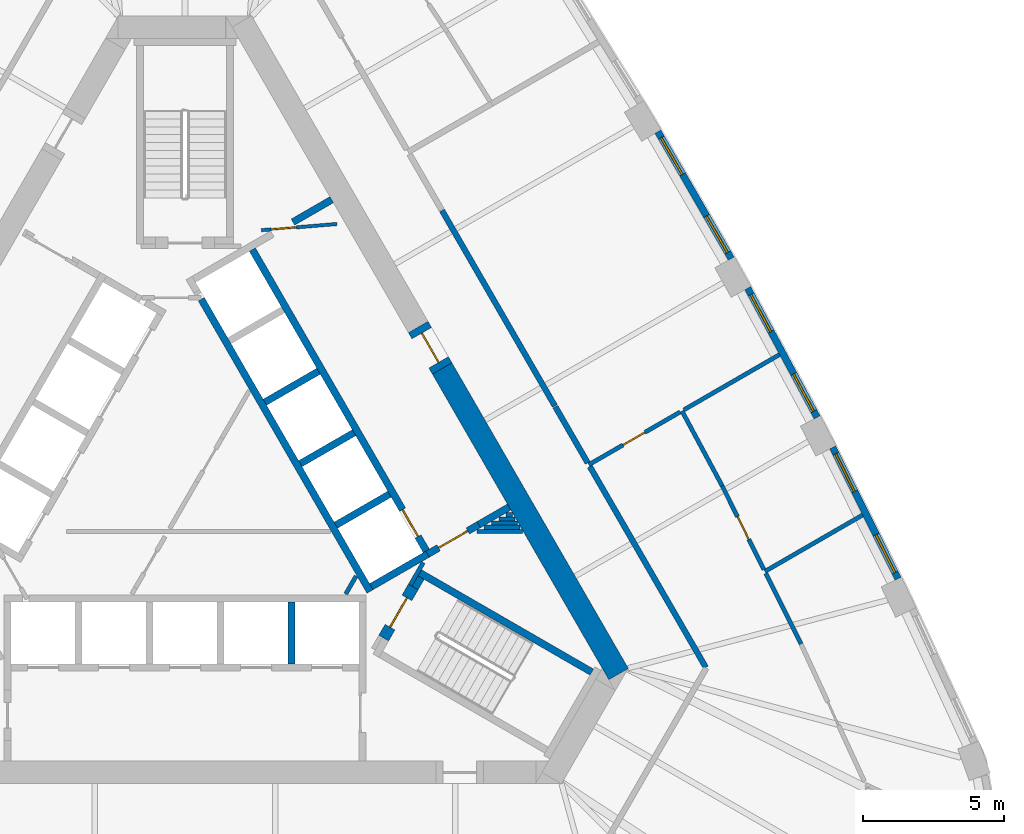
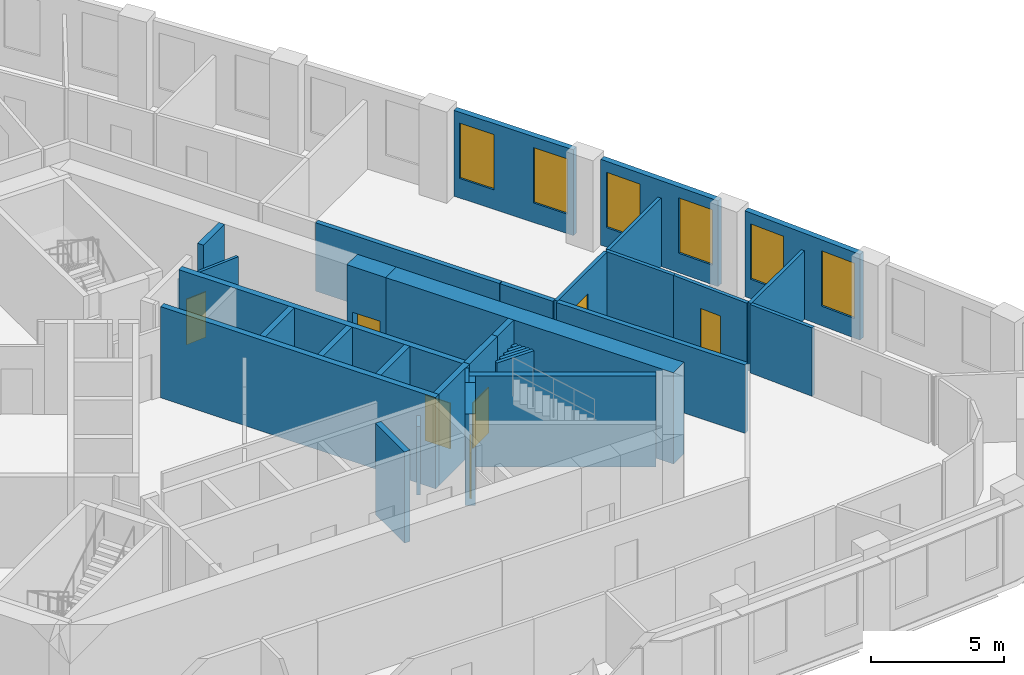
# One storey, part 8 of 11: 35 walls, 7 doors, 6 windows, 13 openings.
"""IFC4 building model written with IfcOpenShell, lengths in metres."""

from ifc_helpers import new_model, si_unit, direction, frame, frame_2d, origin, place, context, subcontext, project, spatial, rectangle, extrude, material, layer, layer_set, type_object, element, fill, save


model = new_model("IFC4")

# Units and contexts
model_context = context("Model", 3, precision=1e-05, world=origin(), true_north=direction((0.0, 1.0)))
body_context = subcontext(model_context, "Body", "Model", "MODEL_VIEW")
ifc_project = project(units=[si_unit("LENGTHUNIT", "METRE"), si_unit("AREAUNIT", "SQUARE_METRE"), si_unit("VOLUMEUNIT", "CUBIC_METRE"), si_unit("PLANEANGLEUNIT", "RADIAN"), si_unit("MASSUNIT", "GRAM", prefix="KILO")], contexts=[model_context])

# Site, building, storey
site_placement = place(None, origin())
site = spatial("IfcSite", under=ifc_project, at=site_placement, CompositionType="ELEMENT")
building_placement = place(site_placement, origin())
building = spatial("IfcBuilding", under=site, at=building_placement, Name="Mestral Congress Tower", CompositionType="ELEMENT")
storey_placement = place(building_placement, frame((0.0, 0.0, 166.800048828125)))
storey = spatial("IfcBuildingStorey", under=building, at=storey_placement, Name="L39", CompositionType="ELEMENT", Elevation=166.800048828125)

# Walls
ifc_material_1 = material(Name="Fire-rated board partition")
ifc_layer_1 = layer(ifc_material_1, 0.14990234375)
ifc_layer_set_1 = layer_set([ifc_layer_1], Name="Fire-rated board partition")
wall_type_1 = type_object("IfcWallType", Name="Core partition 150", PredefinedType="PARTITIONING", material=ifc_layer_set_1)
wall_1_placement = place(storey_placement, frame((10.3623046875, -1.5, 0.0), z_axis=(0.0, 0.0, 1.0), x_axis=(1.0, 0.0, 0.0)))
element("IfcWall", 1, at=wall_1_placement, inside=storey, type_object=wall_type_1, Name="L39 core wall", PredefinedType="PARTITIONING", context=body_context, shape_type="SweptSolid", body=[
    extrude(rectangle(XDim=1.60986328125, YDim=0.14990234375, at=frame_2d((0.804931640625, 0.0))), origin(), (0.0, 0.0, 1.0), 3.14990234375),
])
wall_2_placement = place(storey_placement, frame((10.6220703125, -1.35009765625, 0.0), z_axis=(0.0, 0.0, 1.0), x_axis=(1.0, 0.0, 0.0)))
element("IfcWall", 2, at=wall_2_placement, inside=storey, type_object=wall_type_1, Name="L39 core wall", PredefinedType="PARTITIONING", context=body_context, shape_type="SweptSolid", body=[
    extrude(rectangle(XDim=1.263427734375, YDim=0.14990234375, at=frame_2d((0.6318359375, 0.0))), origin(), (0.0, 0.0, 1.0), 3.14990234375),
])
wall_3_placement = place(storey_placement, frame((10.881591796875, -1.199951171875, 0.0), z_axis=(0.0, 0.0, 1.0), x_axis=(1.0, 0.0, 0.0)))
element("IfcWall", 3, at=wall_3_placement, inside=storey, type_object=wall_type_1, Name="L39 core wall", PredefinedType="PARTITIONING", context=body_context, shape_type="SweptSolid", body=[
    extrude(rectangle(XDim=0.91748046875, YDim=0.14990234375, at=frame_2d((0.458740234375, 0.0))), origin(), (0.0, 0.0, 1.0), 3.14990234375),
])
wall_4_placement = place(storey_placement, frame((11.71240234375, -1.050048828125, 0.0), z_axis=(0.0, 0.0, 1.0), x_axis=(-1.0, 0.0, 0.0)))
element("IfcWall", 4, at=wall_4_placement, inside=storey, type_object=wall_type_1, Name="L39 core wall", PredefinedType="PARTITIONING", context=body_context, shape_type="SweptSolid", body=[
    extrude(rectangle(XDim=0.57080078125, YDim=0.14990234375, at=frame_2d((0.285400390625, 0.0))), origin(), (0.0, 0.0, 1.0), 3.14990234375),
])
wall_5_placement = place(storey_placement, frame((11.4013671875, -0.89990234375, 0.0), z_axis=(0.0, 0.0, 1.0), x_axis=(1.0, 0.0, 0.0)))
element("IfcWall", 5, at=wall_5_placement, inside=storey, type_object=wall_type_1, Name="L39 core wall", PredefinedType="PARTITIONING", context=body_context, shape_type="SweptSolid", body=[
    extrude(rectangle(XDim=0.224365234375, YDim=0.14990234375, at=frame_2d((0.1123046875, 0.0))), origin(), (0.0, 0.0, 1.0), 3.14990234375),
])
wall_6_placement = place(storey_placement, frame((5.704833984375, -3.718017578125, 0.0), z_axis=(0.0, 0.0, 1.0), x_axis=(0.499962090823, 0.866047289552, 0.0)))
element("IfcWall", 6, at=wall_6_placement, inside=storey, type_object=wall_type_1, Name="L39 core wall", PredefinedType="PARTITIONING", context=body_context, shape_type="SweptSolid", body=[
    extrude(rectangle(XDim=0.73486328125, YDim=0.14990234375, at=frame_2d((0.367431640625, 0.0))), origin(), (0.0, 0.0, 1.0), 3.14990234375),
])

# Wall, opening, door
ifc_layer_2 = layer(ifc_material_1, 0.1201171875)
ifc_layer_set_2 = layer_set([ifc_layer_2], Name="Fire-rated board partition")
wall_type_2 = type_object("IfcWallType", Name="Core partition 150 door-wall 120", PredefinedType="PARTITIONING", material=ifc_layer_set_2)
wall_7_placement = place(storey_placement, frame((5.3984375, 9.418701171875, 0.0), z_axis=(0.0, 0.0, 1.0), x_axis=(-0.996653416376, -0.081743303248, 0.0)))
wall_7 = element("IfcWall", 7, at=wall_7_placement, inside=storey, type_object=wall_type_2, Name="L39 door wall", PredefinedType="PARTITIONING", context=body_context, shape_type="SweptSolid", body=[
    extrude(rectangle(XDim=2.699951171875, YDim=0.119873046875, at=frame_2d((1.35009765625, 0.0))), origin(), (0.0, 0.0, 1.0), 3.14990234375),
])
opening_1_placement = place(wall_7_placement, frame((1.449951171875, 0.0, 0.0)))
opening_1 = element("IfcOpeningElement", 8, at=opening_1_placement, cuts=wall_7, Name="Opening TD2", PredefinedType="OPENING", context=body_context, shape_type="SweptSolid", body=[
    extrude(rectangle(XDim=0.89990234375, YDim=2.10009765625, at=frame_2d((0.449951171875, 1.050048828125))), frame((0.0, 0.06982421875, 0.0), z_axis=(0.0, -1.0, 0.0), x_axis=(1.0, 0.0, 0.0)), (0.0, 0.0, 1.0), 0.139892578125),
])
ifc_material_2 = material(Name="Fire-rated steel door set", Category="steel")
door_type_1 = type_object("IfcDoorType", Name="Core door SR 900x2100", OperationType="SINGLE_SWING_LEFT", PredefinedType="DOOR", material=ifc_material_2)
door_1_placement = place(opening_1_placement, origin())
door_1 = element("IfcDoor", 9, at=door_1_placement, inside=storey, type_object=door_type_1, Name="Door TD2", OperationType="SINGLE_SWING_LEFT", OverallHeight=2.10009765625, OverallWidth=0.89990234375, PredefinedType="DOOR", context=body_context, shape_type="SweptSolid", body=[
    extrude(rectangle(XDim=0.89990234375, YDim=2.10009765625, at=frame_2d((0.449951171875, 1.050048828125))), frame((0.0, 0.02490234375, 0.0), z_axis=(0.0, -1.0, 0.0), x_axis=(1.0, 0.0, 0.0)), (0.0, 0.0, 1.0), 0.050048828125),
])
fill(opening_1, door_1)

# Wall
ifc_material_3 = material(Name="Concrete C60/75", Category="concrete")
ifc_layer_3 = layer(ifc_material_3, 0.800048828125)
ifc_layer_set_3 = layer_set([ifc_layer_3], Name="Concrete C60/75")
wall_type_3 = type_object("IfcWallType", Name="Core wall RC 800", PredefinedType="SOLIDWALL", material=ifc_layer_set_3)
wall_8_placement = place(storey_placement, frame((9.128662109375, 4.288818359375, 0.0), z_axis=(0.0, 0.0, 1.0), x_axis=(0.499995742806, -0.866027861663, 0.0)))
element("IfcWall", 10, at=wall_8_placement, inside=storey, type_object=wall_type_3, Name="L39 core wall", PredefinedType="SOLIDWALL", context=body_context, shape_type="SweptSolid", body=[
    extrude(rectangle(XDim=12.52734375, YDim=0.800048828125, at=frame_2d((6.263671875, 0.0))), origin(), (0.0, 0.0, 1.0), 4.199951171875),
])

# Wall, opening, door
wall_9_placement = place(storey_placement, frame((8.278564453125, 5.760986328125, 0.0), z_axis=(0.0, 0.0, 1.0), x_axis=(0.500062241894, -0.865989465428, 0.0)))
wall_9 = element("IfcWall", 11, at=wall_9_placement, inside=storey, type_object=wall_type_3, Name="L39 door wall", PredefinedType="SOLIDWALL", context=body_context, shape_type="SweptSolid", body=[
    extrude(rectangle(XDim=1.699951171875, YDim=0.800048828125, at=frame_2d((0.85009765625, 0.0))), origin(), (0.0, 0.0, 1.0), 4.199951171875),
])
opening_2_placement = place(wall_9_placement, frame((0.25, 0.0, 0.0)))
opening_2 = element("IfcOpeningElement", 12, at=opening_2_placement, cuts=wall_9, Name="Opening XDL", PredefinedType="OPENING", context=body_context, shape_type="SweptSolid", body=[
    extrude(rectangle(XDim=1.199951171875, YDim=2.10009765625, at=frame_2d((0.60009765625, 1.050048828125))), frame((0.0, 0.409912109375, 0.0), z_axis=(0.0, -1.0, 0.0), x_axis=(1.0, 0.0, 0.0)), (0.0, 0.0, 1.0), 0.820068359375),
])
door_type_2 = type_object("IfcDoorType", Name="Core door XD 1200x2100", OperationType="SINGLE_SWING_LEFT", PredefinedType="DOOR", material=ifc_material_2)
door_2_placement = place(opening_2_placement, origin())
door_2 = element("IfcDoor", 13, at=door_2_placement, inside=storey, type_object=door_type_2, Name="Door XDL", OperationType="SINGLE_SWING_LEFT", OverallHeight=2.10009765625, OverallWidth=1.199951171875, PredefinedType="DOOR", context=body_context, shape_type="SweptSolid", body=[
    extrude(rectangle(XDim=1.199951171875, YDim=2.10009765625, at=frame_2d((0.60009765625, 1.050048828125))), frame((0.0, 0.02490234375, 0.0), z_axis=(0.0, -1.0, 0.0), x_axis=(1.0, 0.0, 0.0)), (0.0, 0.0, 1.0), 0.050048828125),
])
fill(opening_2, door_2)

# Wall, openings, windows
ifc_material_4 = material(Name="Precast concrete C40/50 with limestone facing", Category="masonry")
ifc_layer_4 = layer(ifc_material_4, 0.239990234375)
ifc_layer_set_4 = layer_set([ifc_layer_4], Name="Precast concrete C40/50 with limestone facing")
wall_type_4 = type_object("IfcWallType", Name="Facade stone wall 240", PredefinedType="SOLIDWALL", material=ifc_layer_set_4)
wall_10_placement = place(storey_placement, frame((25.31591796875, -3.17138671875, 0.0), z_axis=(0.0, 0.0, 1.0), x_axis=(-0.446256171312, 0.8949052629, 0.0)))
wall_10 = element("IfcWall", 14, at=wall_10_placement, inside=storey, type_object=wall_type_4, Name="Facade wall F1-01", PredefinedType="SOLIDWALL", context=body_context, shape_type="SweptSolid", body=[
    extrude(rectangle(XDim=5.203369140625, YDim=0.239990234375, at=frame_2d((2.6015625, 0.0))), origin(), (0.0, 0.0, 1.0), 3.949951171875),
])
opening_3_placement = place(wall_10_placement, frame((0.248291015625, 0.0, 0.89990234375)))
opening_3 = element("IfcOpeningElement", 15, at=opening_3_placement, cuts=wall_10, Name="Opening W4", PredefinedType="OPENING", context=body_context, shape_type="SweptSolid", body=[
    extrude(rectangle(XDim=1.5, YDim=2.550048828125, at=frame_2d((0.75, 1.27490234375))), frame((0.0, 0.1298828125, 0.0), z_axis=(0.0, -1.0, 0.0), x_axis=(1.0, 0.0, 0.0)), (0.0, 0.0, 1.0), 0.260009765625),
])
opening_4_placement = place(wall_10_placement, frame((3.455078125, 0.0, 0.89990234375)))
opening_4 = element("IfcOpeningElement", 16, at=opening_4_placement, cuts=wall_10, Name="Opening W4", PredefinedType="OPENING", context=body_context, shape_type="SweptSolid", body=[
    extrude(rectangle(XDim=1.5, YDim=2.550048828125, at=frame_2d((0.75, 1.27490234375))), frame((0.0, 0.1298828125, 0.0), z_axis=(0.0, -1.0, 0.0), x_axis=(1.0, 0.0, 0.0)), (0.0, 0.0, 1.0), 0.260009765625),
])
ifc_material_5 = material(Name="Clear low-emissivity double glazing", Category="glass")
window_type = type_object("IfcWindowType", Name="Facade punched window 1500 x 2550 sill 900", PartitioningType="SINGLE_PANEL", PredefinedType="WINDOW", material=ifc_material_5)
window_1_placement = place(opening_3_placement, origin())
window_1 = element("IfcWindow", 17, at=window_1_placement, inside=storey, type_object=window_type, Name="Window F1-01a", OverallHeight=2.550048828125, OverallWidth=1.5, PartitioningType="SINGLE_PANEL", PredefinedType="WINDOW", context=body_context, shape_type="SweptSolid", body=[
    extrude(rectangle(XDim=1.5, YDim=2.550048828125, at=frame_2d((0.75, 1.27490234375))), frame((0.0, 0.0400390625, 0.0), z_axis=(0.0, -1.0, 0.0), x_axis=(1.0, 0.0, 0.0)), (0.0, 0.0, 1.0), 0.06005859375),
])
fill(opening_3, window_1)
window_2_placement = place(opening_4_placement, origin())
window_2 = element("IfcWindow", 18, at=window_2_placement, inside=storey, type_object=window_type, Name="Window F1-01b", OverallHeight=2.550048828125, OverallWidth=1.5, PartitioningType="SINGLE_PANEL", PredefinedType="WINDOW", context=body_context, shape_type="SweptSolid", body=[
    extrude(rectangle(XDim=1.5, YDim=2.550048828125, at=frame_2d((0.75, 1.27490234375))), frame((0.0, 0.0400390625, 0.0), z_axis=(0.0, -1.0, 0.0), x_axis=(1.0, 0.0, 0.0)), (0.0, 0.0, 1.0), 0.06005859375),
])
fill(opening_4, window_2)

wall_11_placement = place(storey_placement, frame((22.43994140625, 2.554931640625, 0.0), z_axis=(0.0, 0.0, 1.0), x_axis=(-0.473349833294, 0.880874528704, 0.0)))
wall_11 = element("IfcWall", 19, at=wall_11_placement, inside=storey, type_object=wall_type_4, Name="Facade wall F1-02", PredefinedType="SOLIDWALL", context=body_context, shape_type="SweptSolid", body=[
    extrude(rectangle(XDim=5.20361328125, YDim=0.239990234375, at=frame_2d((2.601806640625, 0.0))), origin(), (0.0, 0.0, 1.0), 3.949951171875),
])
opening_5_placement = place(wall_11_placement, frame((0.248291015625, 0.0, 0.89990234375)))
opening_5 = element("IfcOpeningElement", 20, at=opening_5_placement, cuts=wall_11, Name="Opening W4", PredefinedType="OPENING", context=body_context, shape_type="SweptSolid", body=[
    extrude(rectangle(XDim=1.5, YDim=2.550048828125, at=frame_2d((0.75, 1.27490234375))), frame((0.0, 0.1298828125, 0.0), z_axis=(0.0, -1.0, 0.0), x_axis=(1.0, 0.0, 0.0)), (0.0, 0.0, 1.0), 0.260009765625),
])
opening_6_placement = place(wall_11_placement, frame((3.455078125, 0.0, 0.89990234375)))
opening_6 = element("IfcOpeningElement", 21, at=opening_6_placement, cuts=wall_11, Name="Opening W4", PredefinedType="OPENING", context=body_context, shape_type="SweptSolid", body=[
    extrude(rectangle(XDim=1.5, YDim=2.550048828125, at=frame_2d((0.75, 1.27490234375))), frame((0.0, 0.1298828125, 0.0), z_axis=(0.0, -1.0, 0.0), x_axis=(1.0, 0.0, 0.0)), (0.0, 0.0, 1.0), 0.260009765625),
])
window_3_placement = place(opening_5_placement, origin())
window_3 = element("IfcWindow", 22, at=window_3_placement, inside=storey, type_object=window_type, Name="Window F1-02a", OverallHeight=2.550048828125, OverallWidth=1.5, PartitioningType="SINGLE_PANEL", PredefinedType="WINDOW", context=body_context, shape_type="SweptSolid", body=[
    extrude(rectangle(XDim=1.5, YDim=2.550048828125, at=frame_2d((0.75, 1.27490234375))), frame((0.0, 0.0400390625, 0.0), z_axis=(0.0, -1.0, 0.0), x_axis=(1.0, 0.0, 0.0)), (0.0, 0.0, 1.0), 0.06005859375),
])
fill(opening_5, window_3)
window_4_placement = place(opening_6_placement, origin())
window_4 = element("IfcWindow", 23, at=window_4_placement, inside=storey, type_object=window_type, Name="Window F1-02b", OverallHeight=2.550048828125, OverallWidth=1.5, PartitioningType="SINGLE_PANEL", PredefinedType="WINDOW", context=body_context, shape_type="SweptSolid", body=[
    extrude(rectangle(XDim=1.5, YDim=2.550048828125, at=frame_2d((0.75, 1.27490234375))), frame((0.0, 0.0400390625, 0.0), z_axis=(0.0, -1.0, 0.0), x_axis=(1.0, 0.0, 0.0)), (0.0, 0.0, 1.0), 0.06005859375),
])
fill(opening_6, window_4)

wall_12_placement = place(storey_placement, frame((19.390625, 8.19091796875, 0.0), z_axis=(0.0, 0.0, 1.0), x_axis=(-0.500009456303, 0.866019944116, 0.0)))
wall_12 = element("IfcWall", 24, at=wall_12_placement, inside=storey, type_object=wall_type_4, Name="Facade wall F1-03", PredefinedType="SOLIDWALL", context=body_context, shape_type="SweptSolid", body=[
    extrude(rectangle(XDim=5.20361328125, YDim=0.239990234375, at=frame_2d((2.601806640625, 0.0))), origin(), (0.0, 0.0, 1.0), 3.949951171875),
])
opening_7_placement = place(wall_12_placement, frame((0.248291015625, 0.0, 0.89990234375)))
opening_7 = element("IfcOpeningElement", 25, at=opening_7_placement, cuts=wall_12, Name="Opening W4", PredefinedType="OPENING", context=body_context, shape_type="SweptSolid", body=[
    extrude(rectangle(XDim=1.5, YDim=2.550048828125, at=frame_2d((0.75, 1.27490234375))), frame((0.0, 0.1298828125, 0.0), z_axis=(0.0, -1.0, 0.0), x_axis=(1.0, 0.0, 0.0)), (0.0, 0.0, 1.0), 0.260009765625),
])
opening_8_placement = place(wall_12_placement, frame((3.455078125, 0.0, 0.89990234375)))
opening_8 = element("IfcOpeningElement", 26, at=opening_8_placement, cuts=wall_12, Name="Opening W4", PredefinedType="OPENING", context=body_context, shape_type="SweptSolid", body=[
    extrude(rectangle(XDim=1.5, YDim=2.550048828125, at=frame_2d((0.75, 1.27490234375))), frame((0.0, 0.1298828125, 0.0), z_axis=(0.0, -1.0, 0.0), x_axis=(1.0, 0.0, 0.0)), (0.0, 0.0, 1.0), 0.260009765625),
])
window_5_placement = place(opening_7_placement, origin())
window_5 = element("IfcWindow", 27, at=window_5_placement, inside=storey, type_object=window_type, Name="Window F1-03a", OverallHeight=2.550048828125, OverallWidth=1.5, PartitioningType="SINGLE_PANEL", PredefinedType="WINDOW", context=body_context, shape_type="SweptSolid", body=[
    extrude(rectangle(XDim=1.5, YDim=2.550048828125, at=frame_2d((0.75, 1.27490234375))), frame((0.0, 0.0400390625, 0.0), z_axis=(0.0, -1.0, 0.0), x_axis=(1.0, 0.0, 0.0)), (0.0, 0.0, 1.0), 0.06005859375),
])
fill(opening_7, window_5)
window_6_placement = place(opening_8_placement, origin())
window_6 = element("IfcWindow", 28, at=window_6_placement, inside=storey, type_object=window_type, Name="Window F1-03b", OverallHeight=2.550048828125, OverallWidth=1.5, PartitioningType="SINGLE_PANEL", PredefinedType="WINDOW", context=body_context, shape_type="SweptSolid", body=[
    extrude(rectangle(XDim=1.5, YDim=2.550048828125, at=frame_2d((0.75, 1.27490234375))), frame((0.0, 0.0400390625, 0.0), z_axis=(0.0, -1.0, 0.0), x_axis=(1.0, 0.0, 0.0)), (0.0, 0.0, 1.0), 0.06005859375),
])
fill(opening_8, window_6)

# Walls
ifc_material_6 = material(Name="Plasterboard partition on steel studs", Category="steel")
ifc_layer_5 = layer(ifc_material_6, 0.14990234375)
ifc_layer_set_5 = layer_set([ifc_layer_5], Name="Plasterboard partition on steel studs")
wall_type_5 = type_object("IfcWallType", Name="Office partition 150", PredefinedType="PARTITIONING", material=ifc_layer_set_5)
wall_13_placement = place(storey_placement, frame((20.584716796875, -2.916259765625, 0.0), z_axis=(0.0, 0.0, 1.0), x_axis=(0.866041532296, 0.499972063559, 0.0)))
element("IfcWall", 29, at=wall_13_placement, inside=storey, type_object=wall_type_5, Name="Partition", PredefinedType="PARTITIONING", context=body_context, shape_type="SweptSolid", body=[
    extrude(rectangle(XDim=4.007568359375, YDim=0.14990234375, at=frame_2d((2.00390625, 0.0))), origin(), (0.0, 0.0, 1.0), 3.14990234375),
])
wall_14_placement = place(storey_placement, frame((21.869384765625, -5.492919921875, 0.0), z_axis=(0.0, 0.0, 1.0), x_axis=(-0.446168399468, 0.894949026099, 0.0)))
element("IfcWall", 30, at=wall_14_placement, inside=storey, type_object=wall_type_5, Name="Partition", PredefinedType="PARTITIONING", context=body_context, shape_type="SweptSolid", body=[
    extrude(rectangle(XDim=2.8037109375, YDim=0.14990234375, at=frame_2d((1.40185546875, 0.0))), origin(), (0.0, 0.0, 1.0), 3.14990234375),
])

# Wall, opening, door
wall_15_placement = place(storey_placement, frame((19.066162109375, 0.12939453125, 0.0), z_axis=(0.0, 0.0, 1.0), x_axis=(0.446215695511, -0.894925445543, 0.0)))
wall_15 = element("IfcWall", 31, at=wall_15_placement, inside=storey, type_object=wall_type_5, Name="Partition", PredefinedType="PARTITIONING", context=body_context, shape_type="SweptSolid", body=[
    extrude(rectangle(XDim=3.328125, YDim=0.14990234375, at=frame_2d((1.6640625, 0.0))), origin(), (0.0, 0.0, 1.0), 3.14990234375),
])
opening_9_placement = place(wall_15_placement, frame((1.228271484375, 0.0, 0.0)))
opening_9 = element("IfcOpeningElement", 32, at=opening_9_placement, cuts=wall_15, Name="Opening O03-006", PredefinedType="OPENING", context=body_context, shape_type="SweptSolid", body=[
    extrude(rectangle(XDim=0.89990234375, YDim=2.10009765625, at=frame_2d((0.449951171875, 1.050048828125))), frame((0.0, 0.0849609375, 0.0), z_axis=(0.0, -1.0, 0.0), x_axis=(1.0, 0.0, 0.0)), (0.0, 0.0, 1.0), 0.169921875),
])
ifc_material_7 = material(Name="Timber door set", Category="wood")
door_type_3 = type_object("IfcDoorType", Name="Office door 900x2100", OperationType="SINGLE_SWING_LEFT", PredefinedType="DOOR", material=ifc_material_7)
door_3_placement = place(opening_9_placement, origin())
door_3 = element("IfcDoor", 33, at=door_3_placement, inside=storey, type_object=door_type_3, Name="Door O03-006", OperationType="SINGLE_SWING_RIGHT", OverallHeight=2.10009765625, OverallWidth=0.89990234375, PredefinedType="DOOR", context=body_context, shape_type="SweptSolid", body=[
    extrude(rectangle(XDim=0.89990234375, YDim=2.10009765625, at=frame_2d((0.449951171875, 1.050048828125))), frame((0.0, 0.02490234375, 0.0), z_axis=(0.0, -1.0, 0.0), x_axis=(1.0, 0.0, 0.0)), (0.0, 0.0, 1.0), 0.050048828125),
])
fill(opening_9, door_3)

# Walls
wall_16_placement = place(storey_placement, frame((19.066162109375, 0.12939453125, 0.0), z_axis=(0.0, 0.0, 1.0), x_axis=(-0.473359743891, 0.88086920304, 0.0)))
element("IfcWall", 34, at=wall_16_placement, inside=storey, type_object=wall_type_5, Name="Partition", PredefinedType="PARTITIONING", context=body_context, shape_type="SweptSolid", body=[
    extrude(rectangle(XDim=3.010498046875, YDim=0.14990234375, at=frame_2d((1.50537109375, 0.0))), origin(), (0.0, 0.0, 1.0), 3.14990234375),
])
wall_17_placement = place(storey_placement, frame((17.706298828125, 2.818603515625, 0.0), z_axis=(0.0, 0.0, 1.0), x_axis=(0.866023031919, 0.500004108169, 0.0)))
element("IfcWall", 35, at=wall_17_placement, inside=storey, type_object=wall_type_5, Name="Partition", PredefinedType="PARTITIONING", context=body_context, shape_type="SweptSolid", body=[
    extrude(rectangle(XDim=3.9267578125, YDim=0.14990234375, at=frame_2d((1.96337890625, 0.0))), origin(), (0.0, 0.0, 1.0), 3.14990234375),
])

# Wall, opening, door
wall_18_placement = place(storey_placement, frame((14.33447265625, 0.8720703125, 0.0), z_axis=(0.0, 0.0, 1.0), x_axis=(0.866027010039, 0.499997217876, 0.0)))
wall_18 = element("IfcWall", 36, at=wall_18_placement, inside=storey, type_object=wall_type_5, Name="Partition", PredefinedType="PARTITIONING", context=body_context, shape_type="SweptSolid", body=[
    extrude(rectangle(XDim=3.7431640625, YDim=0.14990234375, at=frame_2d((1.87158203125, 0.0))), origin(), (0.0, 0.0, 1.0), 3.14990234375),
])
opening_10_placement = place(wall_18_placement, frame((1.39990234375, 0.0, 0.0)))
opening_10 = element("IfcOpeningElement", 37, at=opening_10_placement, cuts=wall_18, Name="Opening O03-008", PredefinedType="OPENING", context=body_context, shape_type="SweptSolid", body=[
    extrude(rectangle(XDim=0.89990234375, YDim=2.10009765625, at=frame_2d((0.449951171875, 1.050048828125))), frame((0.0, 0.0849609375, 0.0), z_axis=(0.0, -1.0, 0.0), x_axis=(1.0, 0.0, 0.0)), (0.0, 0.0, 1.0), 0.169921875),
])
door_4_placement = place(opening_10_placement, origin())
door_4 = element("IfcDoor", 38, at=door_4_placement, inside=storey, type_object=door_type_3, Name="Door O03-008", OperationType="SINGLE_SWING_LEFT", OverallHeight=2.10009765625, OverallWidth=0.89990234375, PredefinedType="DOOR", context=body_context, shape_type="SweptSolid", body=[
    extrude(rectangle(XDim=0.89990234375, YDim=2.10009765625, at=frame_2d((0.449951171875, 1.050048828125))), frame((0.0, 0.02490234375, 0.0), z_axis=(0.0, -1.0, 0.0), x_axis=(1.0, 0.0, 0.0)), (0.0, 0.0, 1.0), 0.050048828125),
])
fill(opening_10, door_4)

# Walls
ifc_material_8 = material(Name="Dense masonry wall, plastered", Category="masonry")
ifc_layer_6 = layer(ifc_material_8, 0.199951171875)
ifc_layer_set_6 = layer_set([ifc_layer_6], Name="Dense masonry wall, plastered")
wall_type_6 = type_object("IfcWallType", Name="Office tenancy wall 200", PredefinedType="PARTITIONING", material=ifc_layer_set_6)
wall_19_placement = place(storey_placement, frame((18.489013671875, -6.323974609375, 0.0), z_axis=(0.0, 0.0, 1.0), x_axis=(-0.500003913404, 0.866023144368, 0.0)))
element("IfcWall", 39, at=wall_19_placement, inside=storey, type_object=wall_type_6, Name="Tenancy wall", PredefinedType="PARTITIONING", context=body_context, shape_type="SweptSolid", body=[
    extrude(rectangle(XDim=8.234375, YDim=0.199951171875, at=frame_2d((4.1171875, 0.0))), origin(), (0.0, 0.0, 1.0), 3.14990234375),
])
wall_20_placement = place(storey_placement, frame((13.13037109375, 2.95751953125, 0.0), z_axis=(0.0, 0.0, 1.0), x_axis=(-0.499995158272, 0.866028199139, 0.0)))
element("IfcWall", 40, at=wall_20_placement, inside=storey, type_object=wall_type_6, Name="Tenancy wall", PredefinedType="PARTITIONING", context=body_context, shape_type="SweptSolid", body=[
    extrude(rectangle(XDim=8.0078125, YDim=0.199951171875, at=frame_2d((4.00390625, 0.0))), origin(), (0.0, 0.0, 1.0), 3.14990234375),
])
wall_21_placement = place(storey_placement, frame((14.296875, 0.93701171875, 0.0), z_axis=(0.0, 0.0, 1.0), x_axis=(-0.499970234539, 0.866042588199, 0.0)))
element("IfcWall", 41, at=wall_21_placement, inside=storey, type_object=wall_type_6, Name="Tenancy wall", PredefinedType="PARTITIONING", context=body_context, shape_type="SweptSolid", body=[
    extrude(rectangle(XDim=2.302978515625, YDim=0.199951171875, at=frame_2d((1.1513671875, 0.0))), origin(), (0.0, 0.0, 1.0), 3.14990234375),
])
ifc_layer_7 = layer(ifc_material_3, 0.25)
ifc_layer_set_7 = layer_set([ifc_layer_7], Name="Concrete C60/75")
wall_type_7 = type_object("IfcWallType", Name="Shaft wall RC 250", PredefinedType="SOLIDWALL", material=ifc_layer_set_7)
wall_22_placement = place(storey_placement, frame((3.780029296875, -4.0, 0.0), z_axis=(0.0, 0.0, 1.0), x_axis=(0.0, -1.0, 0.0)))
element("IfcWall", 42, at=wall_22_placement, inside=storey, type_object=wall_type_7, Name="L39 core wall", PredefinedType="SOLIDWALL", context=body_context, shape_type="SweptSolid", body=[
    extrude(rectangle(XDim=2.199951171875, YDim=0.25, at=frame_2d((1.10009765625, 0.0))), origin(), (0.0, 0.0, 1.0), 4.199951171875),
])
wall_23_placement = place(storey_placement, frame((11.507080078125, -0.631103515625, 0.0), z_axis=(0.0, 0.0, 1.0), x_axis=(-0.866025525965, -0.499999788377, 0.0)))
element("IfcWall", 43, at=wall_23_placement, inside=storey, type_object=wall_type_7, Name="L39 core wall", PredefinedType="SOLIDWALL", context=body_context, shape_type="SweptSolid", body=[
    extrude(rectangle(XDim=1.24462890625, YDim=0.25, at=frame_2d((0.622314453125, 0.0))), origin(), (0.0, 0.0, 1.0), 4.199951171875),
])
wall_24_placement = place(storey_placement, frame((6.568359375, -3.626708984375, 0.0), z_axis=(0.0, 0.0, 1.0), x_axis=(-0.499999455981, 0.866025717874, 0.0)))
element("IfcWall", 44, at=wall_24_placement, inside=storey, type_object=wall_type_7, Name="L39 core wall", PredefinedType="SOLIDWALL", context=body_context, shape_type="SweptSolid", body=[
    extrude(rectangle(XDim=11.97802734375, YDim=0.25, at=frame_2d((5.989013671875, 0.0))), origin(), (0.0, 0.0, 1.0), 4.199951171875),
])
for number, where, z_axis, x_axis, name in (
    (45, (2.833984375, 3.091064453125, 0.0), (0.0, 0.0, 1.0), (0.866008176907, 0.50002983664, 0.0), "L39 core wall"),
    (46, (4.093994140625, 0.90869140625, 0.0), (0.0, 0.0, 1.0), (0.866008176907, 0.50002983664, 0.0), "L39 core wall"),
    (47, (5.35400390625, -1.273681640625, 0.0), (0.0, 0.0, 1.0), (0.866008176907, 0.50002983664, 0.0), "L39 core wall"),
):
    element("IfcWall", number, at=place(storey_placement, frame(where, z_axis=z_axis, x_axis=x_axis)), inside=storey, type_object=wall_type_7, Name=name, PredefinedType="SOLIDWALL", context=body_context, shape_type="SweptSolid", body=[
        extrude(rectangle(XDim=2.199951171875, YDim=0.25, at=frame_2d((1.10009765625, 0.0))), origin(), (0.0, 0.0, 1.0), 4.199951171875),
    ])
wall_25_placement = place(storey_placement, frame((6.614013671875, -3.4560546875, 0.0), z_axis=(0.0, 0.0, 1.0), x_axis=(0.866025089694, 0.500000544019, 0.0)))
element("IfcWall", 48, at=wall_25_placement, inside=storey, type_object=wall_type_7, Name="L39 core wall", PredefinedType="SOLIDWALL", context=body_context, shape_type="SweptSolid", body=[
    extrude(rectangle(XDim=2.30517578125, YDim=0.25, at=frame_2d((1.152587890625, 0.0))), origin(), (0.0, 0.0, 1.0), 4.199951171875),
])
wall_26_placement = place(storey_placement, frame((3.82958984375, 9.485595703125, 0.0), z_axis=(0.0, 0.0, 1.0), x_axis=(0.865986202621, 0.500067892261, 0.0)))
element("IfcWall", 49, at=wall_26_placement, inside=storey, type_object=wall_type_7, Name="L39 core wall", PredefinedType="SOLIDWALL", context=body_context, shape_type="SweptSolid", body=[
    extrude(rectangle(XDim=1.590576171875, YDim=0.25, at=frame_2d((0.79541015625, 0.0))), origin(), (0.0, 0.0, 1.0), 4.199951171875),
])

# Wall, opening, door
wall_27_placement = place(storey_placement, frame((8.565185546875, -2.185302734375, 0.0), z_axis=(0.0, 0.0, 1.0), x_axis=(-0.499997954832, 0.866026584559, 0.0)))
wall_27 = element("IfcWall", 50, at=wall_27_placement, inside=storey, type_object=wall_type_7, Name="L39 door wall", PredefinedType="SOLIDWALL", context=body_context, shape_type="SweptSolid", body=[
    extrude(rectangle(XDim=12.35009765625, YDim=0.25, at=frame_2d((6.175048828125, 0.0))), origin(), (0.0, 0.0, 1.0), 4.199951171875),
])
opening_11_placement = place(wall_27_placement, frame((0.5849609375, 0.0, 0.0)))
opening_11 = element("IfcOpeningElement", 51, at=opening_11_placement, cuts=wall_27, Name="Opening LD-NEB1", PredefinedType="OPENING", context=body_context, shape_type="SweptSolid", body=[
    extrude(rectangle(XDim=1.10009765625, YDim=2.10009765625, at=frame_2d((0.550048828125, 1.050048828125))), frame((0.0, 0.135009765625, 0.0), z_axis=(0.0, -1.0, 0.0), x_axis=(1.0, 0.0, 0.0)), (0.0, 0.0, 1.0), 0.27001953125),
])
door_type_4 = type_object("IfcDoorType", Name="Core door LD 1100x2100", OperationType="DOUBLE_DOOR_SLIDING", PredefinedType="DOOR", material=ifc_material_2)
door_5_placement = place(opening_11_placement, origin())
door_5 = element("IfcDoor", 52, at=door_5_placement, inside=storey, type_object=door_type_4, Name="Door LD-NEB1", OperationType="DOUBLE_DOOR_SLIDING", OverallHeight=2.10009765625, OverallWidth=1.10009765625, PredefinedType="DOOR", context=body_context, shape_type="SweptSolid", body=[
    extrude(rectangle(XDim=1.10009765625, YDim=2.10009765625, at=frame_2d((0.550048828125, 1.050048828125))), frame((0.0, 0.02490234375, 0.0), z_axis=(0.0, -1.0, 0.0), x_axis=(1.0, 0.0, 0.0)), (0.0, 0.0, 1.0), 0.050048828125),
])
fill(opening_11, door_5)

wall_28_placement = place(storey_placement, frame((10.42919921875, -1.25341796875, 0.0), z_axis=(0.0, 0.0, 1.0), x_axis=(-0.866009402589, -0.500027713859, 0.0)))
wall_28 = element("IfcWall", 53, at=wall_28_placement, inside=storey, type_object=wall_type_7, Name="L39 door wall", PredefinedType="SOLIDWALL", context=body_context, shape_type="SweptSolid", body=[
    extrude(rectangle(XDim=2.10009765625, YDim=0.25, at=frame_2d((1.050048828125, 0.0))), origin(), (0.0, 0.0, 1.0), 4.199951171875),
])
opening_12_placement = place(wall_28_placement, frame((0.449951171875, 0.0, 0.0)))
opening_12 = element("IfcOpeningElement", 54, at=opening_12_placement, cuts=wall_28, Name="Opening LB1-PX10", PredefinedType="OPENING", context=body_context, shape_type="SweptSolid", body=[
    extrude(rectangle(XDim=1.199951171875, YDim=2.10009765625, at=frame_2d((0.60009765625, 1.050048828125))), frame((0.0, 0.135009765625, 0.0), z_axis=(0.0, -1.0, 0.0), x_axis=(1.0, 0.0, 0.0)), (0.0, 0.0, 1.0), 0.27001953125),
])
door_type_5 = type_object("IfcDoorType", Name="Core door LB 1200x2100", OperationType="SINGLE_SWING_LEFT", PredefinedType="DOOR", material=ifc_material_2)
door_6_placement = place(opening_12_placement, origin())
door_6 = element("IfcDoor", 55, at=door_6_placement, inside=storey, type_object=door_type_5, Name="Door LB1-PX10", OperationType="SINGLE_SWING_LEFT", OverallHeight=2.10009765625, OverallWidth=1.199951171875, PredefinedType="DOOR", context=body_context, shape_type="SweptSolid", body=[
    extrude(rectangle(XDim=1.199951171875, YDim=2.10009765625, at=frame_2d((0.60009765625, 1.050048828125))), frame((0.0, 0.02490234375, 0.0), z_axis=(0.0, -1.0, 0.0), x_axis=(1.0, 0.0, 0.0)), (0.0, 0.0, 1.0), 0.050048828125),
])
fill(opening_12, door_6)

# Walls
ifc_layer_8 = layer(ifc_material_3, 0.14990234375)
ifc_layer_set_8 = layer_set([ifc_layer_8], Name="Concrete C60/75")
wall_type_8 = type_object("IfcWallType", Name="Shaft wall RC 250 door-wall 150", PredefinedType="SOLIDWALL", material=ifc_layer_set_8)
wall_29_placement = place(storey_placement, frame((8.459228515625, -2.59912109375, 0.0), z_axis=(0.0, 0.0, 1.0), x_axis=(-0.500041054325, -0.866001699761, 0.0)))
element("IfcWall", 56, at=wall_29_placement, inside=storey, type_object=wall_type_8, Name="L39 core wall", PredefinedType="PARTITIONING", context=body_context, shape_type="SweptSolid", body=[
    extrude(rectangle(XDim=0.9287109375, YDim=0.14990234375, at=frame_2d((0.46435546875, 0.0))), origin(), (0.0, 0.0, 1.0), 4.199951171875),
])
ifc_layer_9 = layer(ifc_material_3, 0.25)
ifc_layer_set_9 = layer_set([ifc_layer_9], Name="Concrete C60/75")
wall_type_9 = type_object("IfcWallType", Name="Stair wall RC 250", PredefinedType="SOLIDWALL", material=ifc_layer_set_9)
wall_30_placement = place(storey_placement, frame((8.33447265625, -2.96435546875, 0.0), z_axis=(0.0, 0.0, 1.0), x_axis=(0.866016039709, -0.500016218704, 0.0)))
element("IfcWall", 57, at=wall_30_placement, inside=storey, type_object=wall_type_9, Name="L39 core wall", PredefinedType="SOLIDWALL", context=body_context, shape_type="SweptSolid", body=[
    extrude(rectangle(XDim=7.050048828125, YDim=0.25, at=frame_2d((3.52490234375, 0.0))), origin(), (0.0, 0.0, 1.0), 4.199951171875),
])
wall_31_placement = place(storey_placement, frame((8.167724609375, -3.503173828125, 0.0), z_axis=(0.0, 0.0, 1.0), x_axis=(0.49972245349, 0.866185586049, 0.0)))
element("IfcWall", 58, at=wall_31_placement, inside=storey, type_object=wall_type_9, Name="L39 core wall", PredefinedType="SOLIDWALL", context=body_context, shape_type="SweptSolid", body=[
    extrude(rectangle(XDim=0.425048828125, YDim=0.25, at=frame_2d((0.21240234375, 0.0))), origin(), (0.0, 0.0, 1.0), 4.199951171875),
])

# Wall, opening, door
ifc_layer_10 = layer(ifc_material_3, 0.39990234375)
ifc_layer_set_10 = layer_set([ifc_layer_10], Name="Concrete C60/75")
wall_type_10 = type_object("IfcWallType", Name="Stair wall RC 250 door-wall 400", PredefinedType="SOLIDWALL", material=ifc_layer_set_10)
wall_32_placement = place(storey_placement, frame((7.052734375, -5.2841796875, 0.0), z_axis=(0.0, 0.0, 1.0), x_axis=(0.500078061341, 0.865980330357, 0.0)))
wall_32 = element("IfcWall", 59, at=wall_32_placement, inside=storey, type_object=wall_type_10, Name="L39 door wall", PredefinedType="SOLIDWALL", context=body_context, shape_type="SweptSolid", body=[
    extrude(rectangle(XDim=2.099853515625, YDim=0.39990234375, at=frame_2d((1.0498046875, 0.0))), origin(), (0.0, 0.0, 1.0), 4.199951171875),
])
opening_13_placement = place(wall_32_placement, frame((0.449951171875, 0.0, 0.0)))
opening_13 = element("IfcOpeningElement", 60, at=opening_13_placement, cuts=wall_32, Name="Opening ST-D1", PredefinedType="OPENING", context=body_context, shape_type="SweptSolid", body=[
    extrude(rectangle(XDim=1.199951171875, YDim=2.10009765625, at=frame_2d((0.60009765625, 1.050048828125))), frame((0.0, 0.2099609375, 0.0), z_axis=(0.0, -1.0, 0.0), x_axis=(1.0, 0.0, 0.0)), (0.0, 0.0, 1.0), 0.419921875),
])
door_type_6 = type_object("IfcDoorType", Name="Core door ST 1200x2100", OperationType="SINGLE_SWING_LEFT", PredefinedType="DOOR", material=ifc_material_2)
door_7_placement = place(opening_13_placement, origin())
door_7 = element("IfcDoor", 61, at=door_7_placement, inside=storey, type_object=door_type_6, Name="Door ST-D1", OperationType="SINGLE_SWING_LEFT", OverallHeight=2.10009765625, OverallWidth=1.199951171875, PredefinedType="DOOR", context=body_context, shape_type="SweptSolid", body=[
    extrude(rectangle(XDim=1.199951171875, YDim=2.10009765625, at=frame_2d((0.60009765625, 1.050048828125))), frame((0.0, 0.02490234375, 0.0), z_axis=(0.0, -1.0, 0.0), x_axis=(1.0, 0.0, 0.0)), (0.0, 0.0, 1.0), 0.050048828125),
])
fill(opening_13, door_7)

save(model, "model.ifc")
